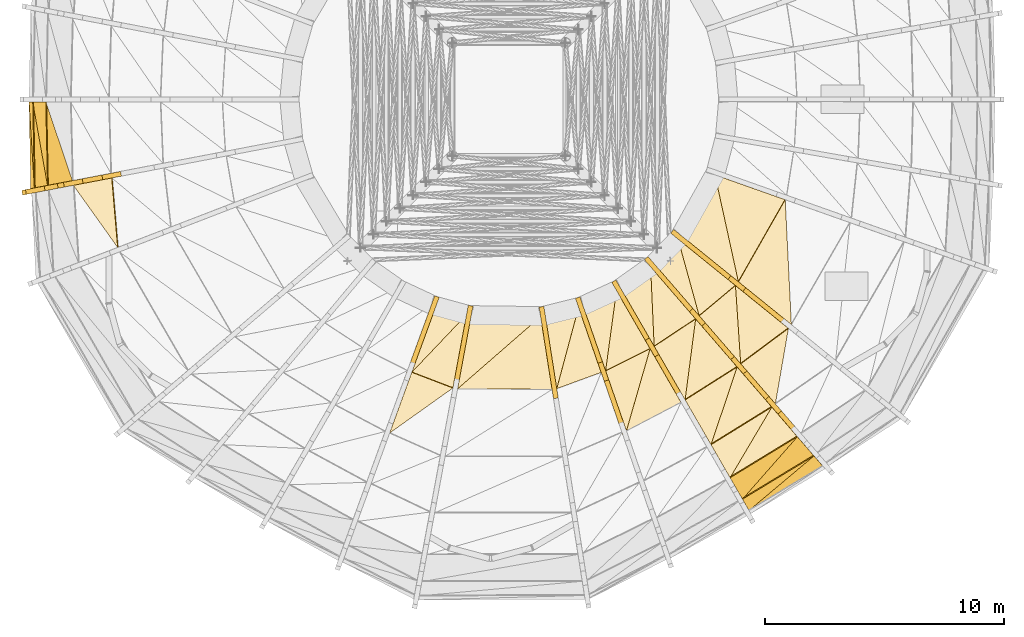
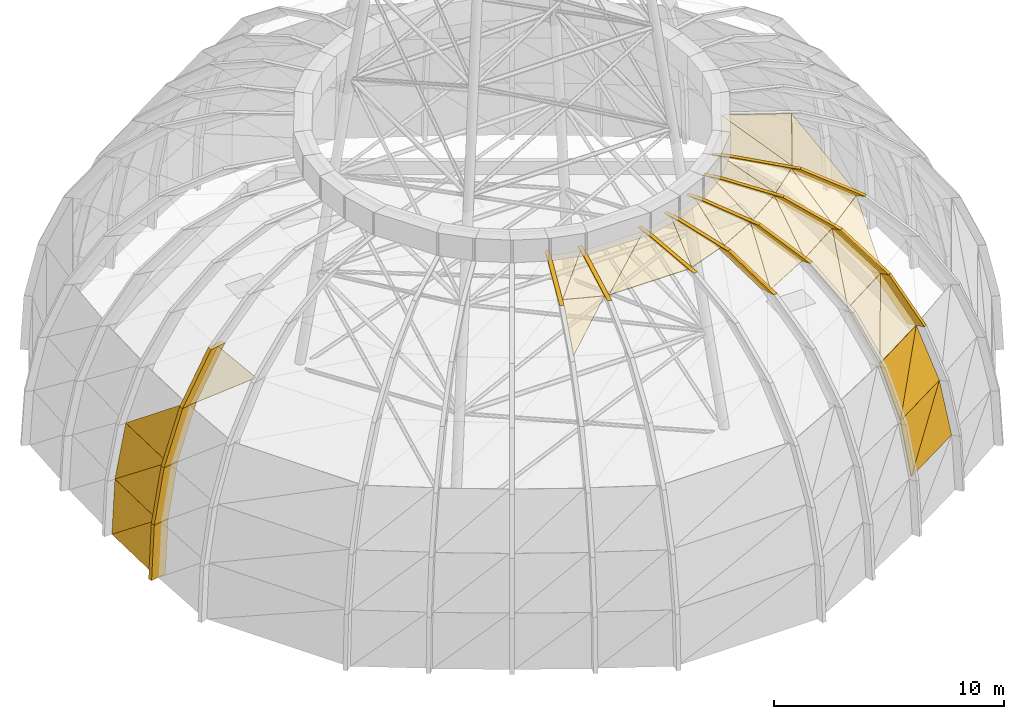
# One storey, part 19 of 27: 37 coverings, 17 shading devices.
"""IFC4 building model written with IfcOpenShell, lengths in metres."""

from ifc_helpers import new_model, si_unit, direction, frame, origin, place, context, subcontext, project, spatial, polyline, outline, extrude, material, layer, layer_set, type_object, element, save


model = new_model("IFC4")

# Units and contexts
model_context = context("Model", 3, precision=1e-05, world=origin(), true_north=direction((0.0, 1.0)))
body_context = subcontext(model_context, "Body", "Model", "MODEL_VIEW")
ifc_project = project(units=[si_unit("LENGTHUNIT", "METRE"), si_unit("AREAUNIT", "SQUARE_METRE"), si_unit("VOLUMEUNIT", "CUBIC_METRE"), si_unit("PLANEANGLEUNIT", "RADIAN"), si_unit("MASSUNIT", "GRAM", prefix="KILO")], contexts=[model_context])

# Site, building, storey
site_placement = place(None, origin())
site = spatial("IfcSite", under=ifc_project, at=site_placement, CompositionType="ELEMENT")
building_placement = place(site_placement, origin())
building = spatial("IfcBuilding", under=site, at=building_placement, Name="Ayvan Gate Tower", CompositionType="ELEMENT")
storey_placement = place(building_placement, frame((0.0, 0.0, 267.699951171875)))
storey = spatial("IfcBuildingStorey", under=building, at=storey_placement, Name="Roof", CompositionType="ELEMENT", Elevation=267.699951171875)

# Shading devices
ifc_material_1 = material(Name="Bronze anodised aluminium", Category="aluminium")
ifc_layer_1 = layer(ifc_material_1, 0.199951171875)
ifc_layer_set_1 = layer_set([ifc_layer_1], Name="Bronze anodised aluminium")
shading_device_type = type_object("IfcShadingDeviceType", Name="Crown frame rib 800 x 200", PredefinedType="USERDEFINED", material=ifc_layer_set_1)
shading_device_1_placement = place(storey_placement, frame((-19.63330078125, -3.66357421875, 0.0), z_axis=(-0.18842293894, 0.982087820205, 0.000556314267), x_axis=(-0.982087972184, -0.18842296806, -6.7375e-08)))
element("IfcShadingDevice", 1, at=shading_device_1_placement, inside=storey, type_object=shading_device_type, Name="CROWN FRAME rib FD01.4.4", ObjectType="FIN", PredefinedType="USERDEFINED", context=body_context, shape_type="SweptSolid", body=[
    extrude(outline(polyline([(0.0, 0.0), (0.7999550941844366, 1.3552527156068805e-20), (0.6434173693620134, 2.8701176749805826), (-0.15682349409494342, 2.8701175671666106), (0.0, 0.0)])), origin(), (0.0, 0.0, -1.0), 0.199951171875),
])
shading_device_2_placement = place(storey_placement, frame((-19.4794921875, -3.634033203125, 2.8701171875), z_axis=(-0.188451172126, 0.982082383647, 0.000589452836), x_axis=(-0.982082554252, -0.188451204916, 8.8332e-08)))
element("IfcShadingDevice", 2, at=shading_device_2_placement, inside=storey, type_object=shading_device_type, Name="CROWN FRAME rib FD02.4.4", ObjectType="FIN", PredefinedType="USERDEFINED", context=body_context, shape_type="SweptSolid", body=[
    extrude(outline(polyline([(0.0, 0.0), (0.800001099663163, 0.0), (0.24020832541047082, 2.7768559299477973), (-0.559746765657742, 2.7768560712746284), (0.0, 0.0)])), origin(), (0.0, 0.0, -1.0), 0.199951171875),
])
shading_device_3_placement = place(storey_placement, frame((-18.9296875, -3.528564453125, 5.64697265625), z_axis=(-0.188451171165, 0.982082378637, 0.000598044286), x_axis=(-0.982082554251, -0.188451204918, 8.9619e-08)))
element("IfcShadingDevice", 3, at=shading_device_3_placement, inside=storey, type_object=shading_device_type, Name="CROWN FRAME rib FD03.4.4", ObjectType="FIN", PredefinedType="USERDEFINED", context=body_context, shape_type="SweptSolid", body=[
    extrude(outline(polyline([(0.0, 0.0), (0.8000010996631631, -1.3552527156068805e-20), (-0.26221060472737645, 2.660156749210939), (-1.062165695795589, 2.66015689259765), (0.0, 0.0)])), origin(), (0.0, 0.0, -1.0), 0.199951171875),
])
shading_device_4_placement = place(storey_placement, frame((-17.886474609375, -3.32861328125, 8.30712890625), z_axis=(-0.188303994327, 0.982110621953, 0.000576165797), x_axis=(-0.982110784967, -0.188304025583, 0.0)))
element("IfcShadingDevice", 4, at=shading_device_4_placement, inside=storey, type_object=shading_device_type, Name="CROWN FRAME rib FD04.4.4", ObjectType="FIN", PredefinedType="USERDEFINED", context=body_context, shape_type="SweptSolid", body=[
    extrude(outline(polyline([(0.0, 0.0), (0.7999551000512035, 1.3552527156068805e-20), (-0.8382232807845867, 2.379883207521409), (-1.6381783808357904, 2.379883207521409), (0.0, 0.0)])), origin(), (0.0, 0.0, -1.0), 0.199951171875),
])
shading_device_5_placement = place(storey_placement, frame((-4.116943359375, -10.9921875, 13.673095703125), z_axis=(-0.939447821362, 0.342643684115, 0.005752970906), x_axis=(-0.342649354439, -0.939463368047, 0.0)))
element("IfcShadingDevice", 5, at=shading_device_5_placement, inside=storey, type_object=shading_device_type, Name="CROWN FRAME rib FD07.5.4", ObjectType="FIN", PredefinedType="USERDEFINED", context=body_context, shape_type="SweptSolid", body=[
    extrude(outline(polyline([(0.0, 0.0), (0.8001472009893165, 2.168404344971009e-19), (-2.1373570363481256, 0.32690970673179864), (-2.937504237337442, 0.32690970673179864), (0.0, 0.0)])), origin(), (0.0, 0.0, -1.0), 0.199951171875),
])
shading_device_6_placement = place(storey_placement, frame((-2.271484375, -11.70166015625, 13.673095703125), z_axis=(-0.983227619607, 0.182333489359, 0.004236354573), x_axis=(-0.182335122876, -0.983236443062, 6.35566e-07)))
element("IfcShadingDevice", 6, at=shading_device_6_placement, inside=storey, type_object=shading_device_type, Name="CROWN FRAME rib FD07.5.5", ObjectType="FIN", PredefinedType="USERDEFINED", context=body_context, shape_type="SweptSolid", body=[
    extrude(outline(polyline([(0.0, 0.0), (0.8000102265388245, 0.0), (-2.3196555681587245, 0.3269087046494672), (-3.1197103101084074, 0.3269097216060314), (0.0, 0.0)])), origin(), (0.0, 0.0, -1.0), 0.199951171875),
])
shading_device_7_placement = place(storey_placement, frame((1.748779296875, -11.7607421875, 13.673095703125), z_axis=(-0.987823991885, -0.15548233669, 0.005385539363), x_axis=(0.155484587228, -0.987838318316, -8.11769e-07)))
element("IfcShadingDevice", 7, at=shading_device_7_placement, inside=storey, type_object=shading_device_type, Name="CROWN FRAME rib FD07.6.1", ObjectType="FIN", PredefinedType="USERDEFINED", context=body_context, shape_type="SweptSolid", body=[
    extrude(outline(polyline([(0.0, 0.0), (0.7999937234591694, -1.0842021724855044e-19), (-2.2895339946840965, 0.32690717915117395), (-3.08956567824757, 0.32690588028194456), (0.0, 0.0)])), origin(), (0.0, 0.0, -1.0), 0.199951171875),
])
shading_device_8_placement = place(storey_placement, frame((4.60693359375, -13.576171875, 12.552978515625), z_axis=(-0.944703796259, -0.327922542103, 0.001242462929), x_axis=(0.327922795496, -0.944704525338, 2.41302e-07)))
element("IfcShadingDevice", 8, at=shading_device_8_placement, inside=storey, type_object=shading_device_type, Name="CROWN FRAME rib FD06.6.2", ObjectType="FIN", PredefinedType="USERDEFINED", context=body_context, shape_type="SweptSolid", body=[
    extrude(outline(polyline([(0.0, 0.0), (0.799896853290821, 5.421010862427522e-20), (-1.8563410211560165, 1.120118500010023), (-2.65638845592385, 1.1201188860796274), (0.0, 0.0)])), origin(), (0.0, 0.0, -1.0), 0.199951171875),
])
shading_device_9_placement = place(storey_placement, frame((3.73583984375, -11.066650390625, 13.673095703125), z_axis=(-0.944643702066, -0.32805426578, 0.005354890341), x_axis=(0.328058967979, -0.944657246587, -2.68008e-07)))
element("IfcShadingDevice", 9, at=shading_device_9_placement, inside=storey, type_object=shading_device_type, Name="CROWN FRAME rib FD07.6.2", ObjectType="FIN", PredefinedType="USERDEFINED", context=body_context, shape_type="SweptSolid", body=[
    extrude(outline(polyline([(0.0, 0.0), (0.8001274965843221, 0.0), (-2.079863182765961, 0.3269084265145823), (-2.8797600501396907, 0.3269079976897222), (0.0, 0.0)])), origin(), (0.0, 0.0, -1.0), 0.199951171875),
])
shading_device_10_placement = place(storey_placement, frame((7.0126953125, -12.345947265625, 12.552978515625), z_axis=(-0.86598903428, -0.500060980676, 0.001417078408), x_axis=(0.500061482403, -0.865989903992, -2.95381e-07)))
element("IfcShadingDevice", 10, at=shading_device_10_placement, inside=storey, type_object=shading_device_type, Name="CROWN FRAME rib FD06.6.3", ObjectType="FIN", PredefinedType="USERDEFINED", context=body_context, shape_type="SweptSolid", body=[
    extrude(outline(polyline([(0.0, 0.0), (0.799995130787755, 0.0), (-1.7901270269412444, 1.120117783390867), (-2.5900328197354474, 1.1201173108093643), (0.0, 0.0)])), origin(), (0.0, 0.0, -1.0), 0.199951171875),
])
shading_device_11_placement = place(storey_placement, frame((5.717529296875, -10.10302734375, 13.673095703125), z_axis=(-0.865976972085, -0.500054015422, 0.005464931712), x_axis=(0.500061481321, -0.865989904617, -3.05219e-07)))
element("IfcShadingDevice", 11, at=shading_device_11_placement, inside=storey, type_object=shading_device_type, Name="CROWN FRAME rib FD07.6.3", ObjectType="FIN", PredefinedType="USERDEFINED", context=body_context, shape_type="SweptSolid", body=[
    extrude(outline(polyline([(0.0, 0.0), (0.799783707471404, 4.336808689942018e-19), (-2.008218496748261, 0.3269085656049392), (-2.8083357128588102, 0.3269080772771111), (0.0, 0.0)])), origin(), (0.0, 0.0, -1.0), 0.199951171875),
])
shading_device_12_placement = place(storey_placement, frame((11.825927734375, -13.825927734375, 8.30712890625), z_axis=(-0.756373212285, -0.65413999618, 0.000655084257), x_axis=(0.654140136532, -0.756373374583, -1.0221e-08)))
element("IfcShadingDevice", 12, at=shading_device_12_placement, inside=storey, type_object=shading_device_type, Name="CROWN FRAME rib FD04.6.4", ObjectType="FIN", PredefinedType="USERDEFINED", context=body_context, shape_type="SweptSolid", body=[
    extrude(outline(polyline([(0.0, 0.0), (0.7998328942393693, 5.421010862427522e-20), (-0.8381970929917246, 2.379883314578782), (-1.6383743508812685, 2.3798832982248266), (0.0, 0.0)])), origin(), (0.0, 0.0, -1.0), 0.199951171875),
])
shading_device_13_placement = place(storey_placement, frame((10.754150390625, -12.586669921875, 10.68701171875), z_axis=(-0.75629756944, -0.654227149033, 0.000907704381), x_axis=(0.654227418489, -0.756297881061, -9.0593e-08)))
element("IfcShadingDevice", 13, at=shading_device_13_placement, inside=storey, type_object=shading_device_type, Name="CROWN FRAME rib FD05.6.4", ObjectType="FIN", PredefinedType="USERDEFINED", context=body_context, shape_type="SweptSolid", body=[
    extrude(outline(polyline([(0.0, 0.0), (0.8001772540015607, 0.0), (-1.4188996281925095, 1.865967437042842), (-2.2188922391567023, 1.8659672920778572), (0.0, 0.0)])), origin(), (0.0, 0.0, -1.0), 0.199951171875),
])
shading_device_14_placement = place(storey_placement, frame((9.302734375, -10.908447265625, 12.552978515625), z_axis=(-0.756383079622, -0.654127901384, 0.001151300511), x_axis=(0.654128334905, -0.756383580912, 0.0)))
element("IfcShadingDevice", 14, at=shading_device_14_placement, inside=storey, type_object=shading_device_type, Name="CROWN FRAME rib FD06.6.4", ObjectType="FIN", PredefinedType="USERDEFINED", context=body_context, shape_type="SweptSolid", body=[
    extrude(outline(polyline([(0.0, 0.0), (0.7998328943367281, 5.421010862427522e-20), (-1.856446614411814, 1.120117929854409), (-2.6562795087485425, 1.120117929854409), (0.0, 0.0)])), origin(), (0.0, 0.0, -1.0), 0.199951171875),
])
shading_device_15_placement = place(storey_placement, frame((7.56494140625, -8.8994140625, 13.673095703125), z_axis=(-0.756288306872, -0.654219136548, 0.005031725661), x_axis=(0.654227420463, -0.756297879353, 5.02301e-07)))
element("IfcShadingDevice", 15, at=shading_device_15_placement, inside=storey, type_object=shading_device_type, Name="CROWN FRAME rib FD07.6.4", ObjectType="FIN", PredefinedType="USERDEFINED", context=body_context, shape_type="SweptSolid", body=[
    extrude(outline(polyline([(0.0, 0.0), (0.7999926109643031, -4.336808689942018e-19), (-2.0797338947134674, 0.3269094799443343), (-2.8799111487147218, 0.3269102837218695), (0.0, 0.0)])), origin(), (0.0, 0.0, -1.0), 0.199951171875),
])
shading_device_16_placement = place(storey_placement, frame((11.401611328125, -9.34130859375, 12.552978515625), z_axis=(-0.628556816682, -0.777762779477, 0.001177735996), x_axis=(0.77776331888, -0.628557252606, 0.0)))
element("IfcShadingDevice", 16, at=shading_device_16_placement, inside=storey, type_object=shading_device_type, Name="CROWN FRAME rib FD06.6.5", ObjectType="FIN", PredefinedType="USERDEFINED", context=body_context, shape_type="SweptSolid", body=[
    extrude(outline(polyline([(0.0, 0.0), (0.8001334570789522, 1.0842021724855044e-19), (-2.049583562018568, 1.1201179643368444), (-2.84971701909752, 1.1201179643368444), (0.0, 0.0)])), origin(), (0.0, 0.0, -1.0), 0.199951171875),
])
shading_device_17_placement = place(storey_placement, frame((9.18505859375, -7.55029296875, 13.673095703125), z_axis=(-0.628534379078, -0.777771238203, 0.004054052506), x_axis=(0.777777629515, -0.628539544521, -9.2302e-08)))
element("IfcShadingDevice", 17, at=shading_device_17_placement, inside=storey, type_object=shading_device_type, Name="CROWN FRAME rib FD07.6.5", ObjectType="FIN", PredefinedType="USERDEFINED", context=body_context, shape_type="SweptSolid", body=[
    extrude(outline(polyline([(0.0, 0.0), (0.800133456871566, 0.0), (-2.289680564822547, 0.3269067719552324), (-3.0894706825402958, 0.32690662427719847), (0.0, 0.0)])), origin(), (0.0, 0.0, -1.0), 0.199951171875),
])

# Coverings
ifc_material_2 = material(Name="Pale metal cladding")
ifc_layer_2 = layer(ifc_material_2, 0.0400390625)
ifc_layer_set_2 = layer_set([ifc_layer_2], Name="Pale metal cladding")
covering_type = type_object("IfcCoveringType", Name="Dome cladding panel 40", PredefinedType="CLADDING", material=ifc_layer_set_2)
covering_1_placement = place(storey_placement, frame((-20.114013671875, -0.1005859375, 0.0009765625), z_axis=(-0.998383756569, -0.018621313943, 0.053694704459), x_axis=(0.018648215882, -0.999826106903, 0.0)))
element("IfcCovering", 18, at=covering_1_placement, inside=storey, type_object=covering_type, Name="Dome cladding panel 1.1A", PredefinedType="CLADDING", context=body_context, shape_type="SweptSolid", body=[
    extrude(outline(polyline([(0.0, 0.0), (3.6395489080570065, 8.673617379884035e-19), (3.612881285271442, 2.8742636036023885), (0.0, 0.0)])), origin(), (0.0, 0.0, -1.0), 0.0400390625),
])
covering_2_placement = place(storey_placement, frame((-20.114013671875, -0.1005859375, 0.0009765625), z_axis=(-0.998404157054, -0.019044235139, 0.053164426873), x_axis=(0.0480164821, -0.781801400177, 0.621675951061)))
element("IfcCovering", 19, at=covering_2_placement, inside=storey, type_object=covering_type, Name="Dome cladding panel 1.1B", PredefinedType="CLADDING", context=body_context, shape_type="SweptSolid", body=[
    extrude(outline(polyline([(0.0, 0.0), (4.6167415397072, 0.0), (1.7916212886881657, 2.2474482102327227), (0.0, 0.0)])), origin(), (0.0, 0.0, -1.0), 0.0400390625),
])
covering_3_placement = place(storey_placement, frame((-19.960693359375, -0.1005859375, 2.8740234375), z_axis=(-0.980649773394, -0.018705576035, 0.194874635004), x_axis=(0.019071206175, -0.999818128009, 0.0)))
element("IfcCovering", 20, at=covering_3_placement, inside=storey, type_object=covering_type, Name="Dome cladding panel 1.2A", PredefinedType="CLADDING", context=body_context, shape_type="SweptSolid", body=[
    extrude(outline(polyline([(0.0, 0.0), (3.610031563628789, -1.734723475976807e-18), (3.5150674339919266, 2.8311335115166556), (0.0, 0.0)])), origin(), (0.0, 0.0, -1.0), 0.0400390625),
])
covering_4_placement = place(storey_placement, frame((-19.960693359375, -0.1005859375, 2.8740234375), z_axis=(-0.981015507777, -0.020369469155, 0.192856574239), x_axis=(0.137069338658, -0.77632957712, 0.615243353551)))
element("IfcCovering", 21, at=covering_4_placement, inside=storey, type_object=covering_type, Name="Dome cladding panel 1.2B", PredefinedType="CLADDING", context=body_context, shape_type="SweptSolid", body=[
    extrude(outline(polyline([(0.0, 0.0), (4.513426195867527, -4.440892098500626e-16), (1.783267808722546, 2.197472939711798), (0.0, 0.0)])), origin(), (0.0, 0.0, -1.0), 0.0400390625),
])
covering_5_placement = place(storey_placement, frame((-19.413818359375, -0.1005859375, 5.654296875), z_axis=(-0.930303441733, -0.019316501229, 0.366281830124), x_axis=(0.020759182168, -0.999784504959, 0.0)))
element("IfcCovering", 22, at=covering_5_placement, inside=storey, type_object=covering_type, Name="Dome cladding panel 1.3A", PredefinedType="CLADDING", context=body_context, shape_type="SweptSolid", body=[
    extrude(outline(polyline([(0.0, 0.0), (3.5046614871715778, 0.0), (3.326409650219278, 2.8588338817317713), (0.0, 0.0)])), origin(), (0.0, 0.0, -1.0), 0.0400390625),
])
covering_6_placement = place(storey_placement, frame((-18.258056640625, -3.601806640625, 8.318359375), z_axis=(-0.822208564578, -0.069787391374, 0.564891844816), x_axis=(0.465733823037, -0.653019839484, 0.597207748878)))
element("IfcCovering", 23, at=covering_6_placement, inside=storey, type_object=covering_type, Name="Dome cladding panel 2.4B", PredefinedType="CLADDING", context=body_context, shape_type="SweptSolid", body=[
    extrude(outline(polyline([(0.0, 0.0), (3.9850166327752805, -2.220446049250313e-16), (1.9690795783127266, 2.114311800991966), (0.0, 0.0)])), origin(), (0.0, 0.0, -1.0), 0.0400390625),
])
covering_7_placement = place(storey_placement, frame((-4.997314453125, -13.989013671875, 12.571533203125), z_axis=(-0.136486795308, -0.356879822215, 0.924125612242), x_axis=(0.770229762109, 0.548420620114, 0.325547134828)))
element("IfcCovering", 24, at=covering_7_placement, inside=storey, type_object=covering_type, Name="Dome cladding panel 7.6B", PredefinedType="CLADDING", context=body_context, shape_type="SweptSolid", body=[
    extrude(outline(polyline([(0.0, 0.0), (3.440721995886029, -2.7755575615628914e-16), (2.4757391174814356, 1.5705227767673806), (0.0, 0.0)])), origin(), (0.0, 0.0, -1.0), 0.0400390625),
])
covering_8_placement = place(storey_placement, frame((-4.06689453125, -11.4384765625, 13.69287109375), z_axis=(-0.037845238529, -0.098956107566, 0.994371875455), x_axis=(0.934023243084, -0.357212235763, 0.0)))
element("IfcCovering", 25, at=covering_8_placement, inside=storey, type_object=covering_type, Name="Dome cladding panel 7.7A", PredefinedType="CLADDING", context=body_context, shape_type="SweptSolid", body=[
    extrude(outline(polyline([(0.0, 0.0), (1.8432942651565802, 0.0), (1.278904525475072, 3.0855721698737026), (0.0, 0.0)])), origin(), (0.0, 0.0, -1.0), 0.0400390625),
])
covering_9_placement = place(storey_placement, frame((-4.066650390625, -11.438720703125, 13.69287109375), z_axis=(-0.029239945367, -0.1070638111, 0.993822099748), x_axis=(0.685763504247, 0.721213866596, 0.097872237496)))
element("IfcCovering", 26, at=covering_9_placement, inside=storey, type_object=covering_type, Name="Dome cladding panel 7.7B", PredefinedType="CLADDING", context=body_context, shape_type="SweptSolid", body=[
    extrude(outline(polyline([(0.0, 0.0), (3.340112632948135, 9.367506770274758e-17), (2.7126513553850407, 1.1734847554236678), (0.0, 0.0)])), origin(), (0.0, 0.0, -1.0), 0.0400390625),
])
covering_10_placement = place(storey_placement, frame((-2.147705078125, -12.133544921875, 13.69287109375), z_axis=(-0.000664012519, -0.106597019617, 0.994302084125), x_axis=(0.999980599194, -0.006229063804, 0.0)))
element("IfcCovering", 27, at=covering_10_placement, inside=storey, type_object=covering_type, Name="Dome cladding panel 8.7A", PredefinedType="CLADDING", context=body_context, shape_type="SweptSolid", body=[
    extrude(outline(polyline([(0.0, 0.0), (3.9585728932552655, 3.469446951953614e-18), (3.45958910084971, 3.066670680302258), (0.0, 0.0)])), origin(), (0.0, 0.0, -1.0), 0.0400390625),
])
covering_11_placement = place(storey_placement, frame((-2.147705078125, -12.133544921875, 13.69287109375), z_axis=(-0.001445759753, -0.105708986099, 0.994396057935), x_axis=(0.752417557971, 0.654879992728, 0.070710774152)))
element("IfcCovering", 28, at=covering_11_placement, inside=storey, type_object=covering_type, Name="Dome cladding panel 8.7B", PredefinedType="CLADDING", context=body_context, shape_type="SweptSolid", body=[
    extrude(outline(polyline([(0.0, 0.0), (4.623118623628818, 3.469446951953614e-17), (2.459894254224292, 1.9463328728126594), (0.0, 0.0)])), origin(), (0.0, 0.0, -1.0), 0.0400390625),
])
covering_12_placement = place(storey_placement, frame((2.00927734375, -12.126953125, 13.69287109375), z_axis=(0.038773700797, -0.105938769013, 0.993616413586), x_axis=(0.939078183112, 0.343703601964, 0.0)))
element("IfcCovering", 29, at=covering_12_placement, inside=storey, type_object=covering_type, Name="Dome cladding panel 9.7A", PredefinedType="CLADDING", context=body_context, shape_type="SweptSolid", body=[
    extrude(outline(polyline([(0.0, 0.0), (1.9789602941700193, -1.1102230246251565e-16), (2.0271865696601887, 2.897793659698417), (0.0, 0.0)])), origin(), (0.0, 0.0, -1.0), 0.0400390625),
])
covering_13_placement = place(storey_placement, frame((2.009033203125, -12.126708984375, 13.69287109375), z_axis=(0.025624531839, -0.102480183008, 0.994404945411), x_axis=(0.258466724434, 0.961587340983, 0.092437752141)))
element("IfcCovering", 30, at=covering_13_placement, inside=storey, type_object=covering_type, Name="Dome cladding panel 9.7B", PredefinedType="CLADDING", context=body_context, shape_type="SweptSolid", body=[
    extrude(outline(polyline([(0.0, 0.0), (3.53648038060428, -6.938893903907228e-17), (2.8408626593721147, 1.2576555041937056), (0.0, 0.0)])), origin(), (0.0, 0.0, -1.0), 0.0400390625),
])
covering_14_placement = place(storey_placement, frame((4.9306640625, -13.8955078125, 12.5712890625), z_axis=(0.184161721838, -0.351933463941, 0.917729424813), x_axis=(0.886022256534, 0.463642708263, 0.0)))
element("IfcCovering", 31, at=covering_14_placement, inside=storey, type_object=covering_type, Name="Dome cladding panel 10.6A", PredefinedType="CLADDING", context=body_context, shape_type="SweptSolid", body=[
    extrude(outline(polyline([(0.0, 0.0), (2.5796694319962796, 1.1102230246251565e-16), (2.472150177262205, 2.819989741633076), (0.0, 0.0)])), origin(), (0.0, 0.0, -1.0), 0.0400390625),
])
covering_15_placement = place(storey_placement, frame((4.930419921875, -13.8955078125, 12.5712890625), z_axis=(0.174828908155, -0.350071014885, 0.920263623866), x_axis=(0.26411475191, 0.917077769327, 0.298683382244)))
element("IfcCovering", 32, at=covering_15_placement, inside=storey, type_object=covering_type, Name="Dome cladding panel 10.6B", PredefinedType="CLADDING", context=body_context, shape_type="SweptSolid", body=[
    extrude(outline(polyline([(0.0, 0.0), (3.7501824811405293, 1.1102230246251565e-16), (2.4059180453702256, 1.5883083058788028), (0.0, 0.0)])), origin(), (0.0, 0.0, -1.0), 0.0400390625),
])
covering_16_placement = place(storey_placement, frame((4.056884765625, -11.380859375, 13.69287109375), z_axis=(0.051757365214, -0.103637056134, 0.993267605302), x_axis=(0.894638284565, 0.446791159033, 0.0)))
element("IfcCovering", 33, at=covering_16_placement, inside=storey, type_object=covering_type, Name="Dome cladding panel 10.7A", PredefinedType="CLADDING", context=body_context, shape_type="SweptSolid", body=[
    extrude(outline(polyline([(0.0, 0.0), (2.0808099739765873, -1.1102230246251565e-16), (1.9112352573237619, 2.821974207708556), (0.0, 0.0)])), origin(), (0.0, 0.0, -1.0), 0.0400390625),
])
covering_17_placement = place(storey_placement, frame((4.056884765625, -11.380859375, 13.69287109375), z_axis=(0.047120998297, -0.103034566726, 0.993561014522), x_axis=(0.134237740264, 0.986296395781, 0.095914799474)))
element("IfcCovering", 34, at=covering_17_placement, inside=storey, type_object=covering_type, Name="Dome cladding panel 10.7B", PredefinedType="CLADDING", context=body_context, shape_type="SweptSolid", body=[
    extrude(outline(polyline([(0.0, 0.0), (3.408277957827054, 5.898059818321144e-17), (2.5877683289411775, 1.3049861852008187), (0.0, 0.0)])), origin(), (0.0, 0.0, -1.0), 0.0400390625),
])
covering_18_placement = place(storey_placement, frame((10.0673828125, -17.236328125, 2.8740234375), z_axis=(0.506525758086, -0.839920003783, 0.194848771205), x_axis=(0.85633308577, 0.51642390167, 0.0)))
element("IfcCovering", 35, at=covering_18_placement, inside=storey, type_object=covering_type, Name="Dome cladding panel 11.2A", PredefinedType="CLADDING", context=body_context, shape_type="SweptSolid", body=[
    extrude(outline(polyline([(0.0, 0.0), (3.6099371204024995, 1.1102230246251565e-16), (3.514961392091947, 2.831118679852466), (0.0, 0.0)])), origin(), (0.0, 0.0, -1.0), 0.0400390625),
])
covering_19_placement = place(storey_placement, frame((10.067626953125, -17.236328125, 2.8740234375), z_axis=(0.508153535745, -0.83940347309, 0.192825811224), x_axis=(0.603788124444, 0.506853137972, 0.61525587954)))
element("IfcCovering", 36, at=covering_19_placement, inside=storey, type_object=covering_type, Name="Dome cladding panel 11.2B", PredefinedType="CLADDING", context=body_context, shape_type="SweptSolid", body=[
    extrude(outline(polyline([(0.0, 0.0), (4.51333430706241, 0.0), (1.7832404604183274, 2.19747240286064), (0.0, 0.0)])), origin(), (0.0, 0.0, -1.0), 0.0400390625),
])
covering_20_placement = place(storey_placement, frame((9.7939453125, -16.7626953125, 5.654296875), z_axis=(0.48188091841, -0.796004530277, 0.366288913632), x_axis=(0.855457847801, 0.517872446299, 0.0)))
element("IfcCovering", 37, at=covering_20_placement, inside=storey, type_object=covering_type, Name="Dome cladding panel 11.3A", PredefinedType="CLADDING", context=body_context, shape_type="SweptSolid", body=[
    extrude(outline(polyline([(0.0, 0.0), (3.504610873237997, 1.1102230246251565e-16), (3.3263113580838577, 2.8588424486060755), (0.0, 0.0)])), origin(), (0.0, 0.0, -1.0), 0.0400390625),
])
covering_21_placement = place(storey_placement, frame((9.794189453125, -16.7626953125, 5.654296875), z_axis=(0.485378907699, -0.795495483956, 0.362759218997), x_axis=(0.525126041411, 0.59698715223, 0.606505548783)))
element("IfcCovering", 38, at=covering_21_placement, inside=storey, type_object=covering_type, Name="Dome cladding panel 11.3B", PredefinedType="CLADDING", context=body_context, shape_type="SweptSolid", body=[
    extrude(outline(polyline([(0.0, 0.0), (4.386037778778206, 0.0), (1.876830516834711, 2.151020974522793), (0.0, 0.0)])), origin(), (0.0, 0.0, -1.0), 0.0400390625),
])
covering_22_placement = place(storey_placement, frame((9.27490234375, -15.864013671875, 8.318359375), z_axis=(0.430913515392, -0.70623125569, 0.561739223964), x_axis=(0.853643177167, 0.520858259104, 0.0)))
element("IfcCovering", 39, at=covering_22_placement, inside=storey, type_object=covering_type, Name="Dome cladding panel 11.4A", PredefinedType="CLADDING", context=body_context, shape_type="SweptSolid", body=[
    extrude(outline(polyline([(0.0, 0.0), (3.304998081123037, -1.1102230246251565e-16), (3.035433168327474, 2.8766366667849117), (0.0, 0.0)])), origin(), (0.0, 0.0, -1.0), 0.0400390625),
])
covering_23_placement = place(storey_placement, frame((9.275146484375, -15.864013671875, 8.318359375), z_axis=(0.43699453506, -0.706132832083, 0.557146479647), x_axis=(0.418346071549, 0.707907404913, 0.569081426941)))
element("IfcCovering", 40, at=covering_23_placement, inside=storey, type_object=covering_type, Name="Dome cladding panel 11.4B", PredefinedType="CLADDING", context=body_context, shape_type="SweptSolid", body=[
    extrude(outline(polyline([(0.0, 0.0), (4.181972385379174, 2.220446049250313e-16), (1.9996843294494704, 2.053542722889759), (0.0, 0.0)])), origin(), (0.0, 0.0, -1.0), 0.0400390625),
])
covering_24_placement = place(storey_placement, frame((8.474609375, -14.477294921875, 10.7021484375), z_axis=(0.341183870667, -0.551313834673, 0.761345271276), x_axis=(0.850338063914, 0.526236807016, 0.0)))
element("IfcCovering", 41, at=covering_24_placement, inside=storey, type_object=covering_type, Name="Dome cladding panel 11.5A", PredefinedType="CLADDING", context=body_context, shape_type="SweptSolid", body=[
    extrude(outline(polyline([(0.0, 0.0), (2.996567849021097, -2.220446049250313e-16), (2.6454369701631704, 2.878038775000782), (0.0, 0.0)])), origin(), (0.0, 0.0, -1.0), 0.0400390625),
])
covering_25_placement = place(storey_placement, frame((8.474853515625, -14.477294921875, 10.7021484375), z_axis=(0.349942972317, -0.55178320233, 0.757017314038), x_axis=(0.280479361839, 0.832757027559, 0.477333280458)))
element("IfcCovering", 42, at=covering_25_placement, inside=storey, type_object=covering_type, Name="Dome cladding panel 11.5B", PredefinedType="CLADDING", context=body_context, shape_type="SweptSolid", body=[
    extrude(outline(polyline([(0.0, 0.0), (3.909148750497236, -1.1102230246251565e-16), (2.1476034954557734, 1.8845349009026136), (0.0, 0.0)])), origin(), (0.0, 0.0, -1.0), 0.0400390625),
])
covering_26_placement = place(storey_placement, frame((7.389892578125, -12.59912109375, 12.5712890625), z_axis=(0.210051171065, -0.331204559005, 0.919881538911), x_axis=(0.844486653986, 0.535576596986, 0.0)))
element("IfcCovering", 43, at=covering_26_placement, inside=storey, type_object=covering_type, Name="Dome cladding panel 11.6A", PredefinedType="CLADDING", context=body_context, shape_type="SweptSolid", body=[
    extrude(outline(polyline([(0.0, 0.0), (2.5796343691072026, 0.0), (2.1882887392682866, 2.8560114588558907), (0.0, 0.0)])), origin(), (0.0, 0.0, -1.0), 0.0400390625),
])
covering_27_placement = place(storey_placement, frame((7.39013671875, -12.59912109375, 12.5712890625), z_axis=(0.219226186833, -0.331637912422, 0.917581698843), x_axis=(0.122546216941, 0.94237090857, 0.311318960867)))
element("IfcCovering", 44, at=covering_27_placement, inside=storey, type_object=covering_type, Name="Dome cladding panel 11.6B", PredefinedType="CLADDING", context=body_context, shape_type="SweptSolid", body=[
    extrude(outline(polyline([(0.0, 0.0), (3.597972909781914, -5.551115123125783e-17), (2.3039184974948803, 1.6294875710722259), (0.0, 0.0)])), origin(), (0.0, 0.0, -1.0), 0.0400390625),
])
covering_28_placement = place(storey_placement, frame((6.092041015625, -10.351318359375, 13.69287109375), z_axis=(0.062709548902, -0.094864870786, 0.993513044085), x_axis=(0.834210026519, 0.551446852973, 0.0)))
element("IfcCovering", 45, at=covering_28_placement, inside=storey, type_object=covering_type, Name="Dome cladding panel 11.7A", PredefinedType="CLADDING", context=body_context, shape_type="SweptSolid", body=[
    extrude(outline(polyline([(0.0, 0.0), (2.080818724982646, -1.1102230246251565e-16), (1.710313365504791, 2.8746873305790626), (0.0, 0.0)])), origin(), (0.0, 0.0, -1.0), 0.0400390625),
])
covering_29_placement = place(storey_placement, frame((6.09228515625, -10.351318359375, 13.69287109375), z_axis=(0.067348798862, -0.094630489306, 0.99323169995), x_axis=(-0.044302998857, 0.994226442233, 0.097729350033)))
element("IfcCovering", 46, at=covering_29_placement, inside=storey, type_object=covering_type, Name="Dome cladding panel 11.7B", PredefinedType="CLADDING", context=body_context, shape_type="SweptSolid", body=[
    extrude(outline(polyline([(0.0, 0.0), (3.344996122092835, -1.0408340855860843e-17), (2.5119960295901507, 1.2969849501145083), (0.0, 0.0)])), origin(), (0.0, 0.0, -1.0), 0.0400390625),
])
covering_30_placement = place(storey_placement, frame((11.175048828125, -12.768798828125, 10.702392578125), z_axis=(0.384976047664, -0.516987696313, 0.764537222499), x_axis=(0.146876260204, 0.852145174975, 0.502270808385)))
element("IfcCovering", 47, at=covering_30_placement, inside=storey, type_object=covering_type, Name="Dome cladding panel 12.5B", PredefinedType="CLADDING", context=body_context, shape_type="SweptSolid", body=[
    extrude(outline(polyline([(0.0, 0.0), (3.715061209458061, -1.1102230246251565e-16), (2.154303618960971, 1.940457678442694), (0.0, 0.0)])), origin(), (0.0, 0.0, -1.0), 0.0400390625),
])
covering_31_placement = place(storey_placement, frame((9.719970703125, -11.086181640625, 12.571533203125), z_axis=(0.224563450604, -0.301568218875, 0.926621749161), x_axis=(0.802054101723, 0.597251385857, 0.0)))
element("IfcCovering", 48, at=covering_31_placement, inside=storey, type_object=covering_type, Name="Dome cladding panel 12.6A", PredefinedType="CLADDING", context=body_context, shape_type="SweptSolid", body=[
    extrude(outline(polyline([(0.0, 0.0), (2.490249035362024, 2.220446049250313e-16), (1.7819445732040178, 2.9790758057867333), (0.0, 0.0)])), origin(), (0.0, 0.0, -1.0), 0.0400390625),
])
covering_32_placement = place(storey_placement, frame((9.720458984375, -11.0859375, 12.5712890625), z_axis=(0.249273058453, -0.298130386124, 0.92140176644), x_axis=(-0.063226955721, 0.944395507696, 0.322675498161)))
element("IfcCovering", 49, at=covering_32_placement, inside=storey, type_object=covering_type, Name="Dome cladding panel 12.6B", PredefinedType="CLADDING", context=body_context, shape_type="SweptSolid", body=[
    extrude(outline(polyline([(0.0, 0.0), (3.4713425527589648, 8.326672684688674e-17), (2.368616226137796, 1.6430490036474619), (0.0, 0.0)])), origin(), (0.0, 0.0, -1.0), 0.0400390625),
])
covering_33_placement = place(storey_placement, frame((7.9794921875, -9.07275390625, 13.69287109375), z_axis=(0.068778773803, -0.082259360551, 0.994234820289), x_axis=(0.767168490361, 0.641445638692, 0.0)))
element("IfcCovering", 50, at=covering_33_placement, inside=storey, type_object=covering_type, Name="Dome cladding panel 12.7A", PredefinedType="CLADDING", context=body_context, shape_type="SweptSolid", body=[
    extrude(outline(polyline([(0.0, 0.0), (1.9787913937073642, 0.0), (1.3808468525776108, 3.0487797892567663), (0.0, 0.0)])), origin(), (0.0, 0.0, -1.0), 0.0400390625),
])
covering_34_placement = place(storey_placement, frame((7.979736328125, -9.072509765625, 13.69287109375), z_axis=(0.081404724505, -0.078711751577, 0.99356818135), x_axis=(-0.264426044643, 0.959447107639, 0.097673510008)))
element("IfcCovering", 51, at=covering_34_placement, inside=storey, type_object=covering_type, Name="Dome cladding panel 12.7B", PredefinedType="CLADDING", context=body_context, shape_type="SweptSolid", body=[
    extrude(outline(polyline([(0.0, 0.0), (3.3469084591087976, 4.85722573273506e-17), (2.6197725253077735, 1.2396894207661031), (0.0, 0.0)])), origin(), (0.0, 0.0, -1.0), 0.0400390625),
])
covering_35_placement = place(storey_placement, frame((11.844970703125, -9.44091796875, 12.571533203125), z_axis=(0.321562930864, -0.183016835909, 0.92903289461), x_axis=(-0.048267519032, 0.976699400693, 0.209113670744)))
element("IfcCovering", 52, at=covering_35_placement, inside=storey, type_object=covering_type, Name="Dome cladding panel 13.6B", PredefinedType="CLADDING", context=body_context, shape_type="SweptSolid", body=[
    extrude(outline(polyline([(0.0, 0.0), (5.356499092158947, -5.551115123125783e-17), (2.0905149896653485, 2.237484066026237), (0.0, 0.0)])), origin(), (0.0, 0.0, -1.0), 0.0400390625),
])
covering_36_placement = place(storey_placement, frame((9.623779296875, -7.647216796875, 13.69287109375), z_axis=(0.091998276257, -0.052360616892, 0.994381558037), x_axis=(0.494643925711, 0.86909572934, 0.0)))
element("IfcCovering", 53, at=covering_36_placement, inside=storey, type_object=covering_type, Name="Dome cladding panel 13.7A", PredefinedType="CLADDING", context=body_context, shape_type="SweptSolid", body=[
    extrude(outline(polyline([(0.0, 0.0), (3.9589123637006947, 2.220446049250313e-16), (3.4089473883095356, 3.088222300218867), (0.0, 0.0)])), origin(), (0.0, 0.0, -1.0), 0.0400390625),
])
covering_37_placement = place(storey_placement, frame((9.623779296875, -7.647216796875, 13.69287109375), z_axis=(0.093157683102, -0.05209952901, 0.994287325252), x_axis=(-0.213632944934, 0.974325458421, 0.07106944429)))
element("IfcCovering", 54, at=covering_37_placement, inside=storey, type_object=covering_type, Name="Dome cladding panel 13.7B", PredefinedType="CLADDING", context=body_context, shape_type="SweptSolid", body=[
    extrude(outline(polyline([(0.0, 0.0), (4.599786872435669, 0.0), (2.428646425577537, 1.9375944924511055), (0.0, 0.0)])), origin(), (0.0, 0.0, -1.0), 0.0400390625),
])

save(model, "model.ifc")
